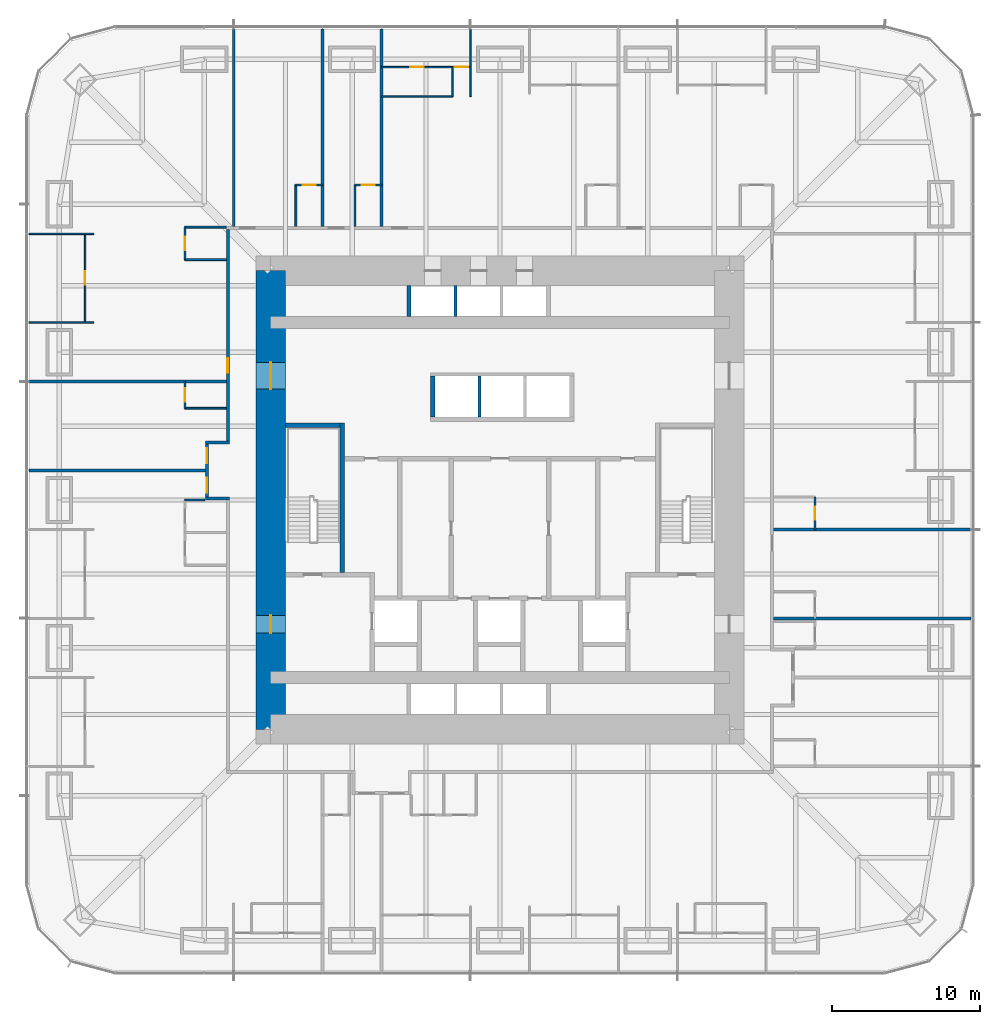
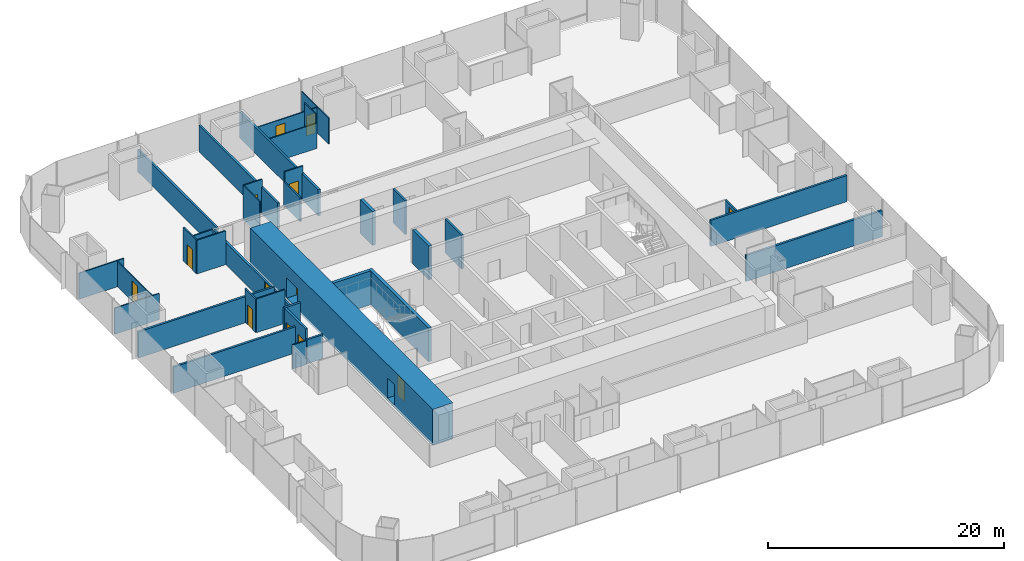
# One storey, part 17 of 20: 36 walls, 13 doors, 13 openings.
"""IFC4 building model written with IfcOpenShell, lengths in metres."""

import ifcopenshell
import ifcopenshell.guid

model = None  # the IFC model being written
_history = None  # IfcOwnerHistory: only IFC2X3 demands one
_inside = {}  # id of a spatial element -> (the spatial element, [elements in it])
_under = {}  # id of a project, library or spatial element -> (it, [spatial elements below it])
_declared = {}  # id of a project -> (the project, [libraries it declares])
_typed = {}  # id of a type object -> (the type object, [elements of that type])
_made_of = {}  # id of a material, layer set ... -> (it, [elements and type objects made of it])


def new_model(schema):
    """Start an empty IFC model of exactly this schema.

    Asked for "IFC4X3", IfcOpenShell would pick the latest addendum, in which some entities
    have other attributes; the version numbers below select the first issue.
    IFC2X3 requires an IfcOwnerHistory on every rooted entity: one is made here for all.
    """
    global model, _history
    if schema == "IFC4X3":
        model = ifcopenshell.file(schema_version=(4, 3, 0, 0))
    else:
        model = ifcopenshell.file(schema=schema)
    _inside.clear()
    _under.clear()
    _declared.clear()
    _typed.clear()
    _made_of.clear()
    _history = None
    if model.schema == "IFC2X3":
        org = make("IfcOrganization", Name="unknown")
        user = make(
            "IfcPersonAndOrganization",
            ThePerson=make("IfcPerson", FamilyName="unknown"),
            TheOrganization=org,
        )
        app = make(
            "IfcApplication",
            ApplicationDeveloper=org,
            Version="unknown",
            ApplicationFullName="unknown",
            ApplicationIdentifier="unknown",
        )
        _history = make(
            "IfcOwnerHistory",
            OwningUser=user,
            OwningApplication=app,
            ChangeAction="ADDED",
            CreationDate=0,
        )
    return model


def make(cls, **values):
    """One entity of the class cls with the attributes given. An attribute that is None is left unset."""
    return model.create_entity(
        cls, **{name: value for name, value in values.items() if value is not None}
    )


def rooted(cls, **values):
    """An entity with a GlobalId (a new one), such as an element, a storey or a relation."""
    return make(cls, GlobalId=ifcopenshell.guid.new(), OwnerHistory=_history, **values)


def si_unit(unit_type, name, prefix=None):
    """IfcSIUnit, for example si_unit("LENGTHUNIT", "METRE", prefix="MILLI")."""
    return make("IfcSIUnit", UnitType=unit_type, Prefix=prefix, Name=name)


def assignment(units):
    """IfcUnitAssignment: the units of a project."""
    return None if units is None else make("IfcUnitAssignment", Units=units)


def point(xyz):
    """IfcCartesianPoint."""
    return None if xyz is None else make("IfcCartesianPoint", Coordinates=xyz)


def direction(xyz):
    """IfcDirection."""
    return None if xyz is None else make("IfcDirection", DirectionRatios=xyz)


def frame(location, z_axis=None, x_axis=None):
    """IfcAxis2Placement3D, a coordinate frame: its origin and axes. An axis left out is left unset."""
    return make(
        "IfcAxis2Placement3D",
        Location=point(location),
        Axis=direction(z_axis),
        RefDirection=direction(x_axis),
    )


def frame_2d(location, x_axis=None):
    """IfcAxis2Placement2D, a coordinate frame in the plane: its origin and x axis."""
    return make(
        "IfcAxis2Placement2D", Location=point(location), RefDirection=direction(x_axis)
    )


def origin():
    """The frame at (0, 0, 0) with its axes left unset."""
    return frame((0.0, 0.0, 0.0))


def place(relative_to, where):
    """IfcLocalPlacement: puts the frame where relative to a parent placement (None: the world)."""
    return make(
        "IfcLocalPlacement", PlacementRelTo=relative_to, RelativePlacement=where
    )


def context(
    kind, dimensions, precision=None, world=None, true_north=None, identifier=None
):
    """IfcGeometricRepresentationContext, for example the 3D "Model" context."""
    return make(
        "IfcGeometricRepresentationContext",
        ContextIdentifier=identifier,
        ContextType=kind,
        CoordinateSpaceDimension=dimensions,
        Precision=precision,
        WorldCoordinateSystem=world,
        TrueNorth=true_north,
    )


def subcontext(parent, identifier, kind, view, scale=None):
    """IfcGeometricRepresentationSubContext, for example "Body" below "Model"."""
    return make(
        "IfcGeometricRepresentationSubContext",
        ContextIdentifier=identifier,
        ContextType=kind,
        ParentContext=parent,
        TargetScale=scale,
        TargetView=view,
    )


def project(units=None, contexts=None):
    """IfcProject with its units and contexts."""
    return rooted(
        "IfcProject",
        Name="project",
        RepresentationContexts=contexts,
        UnitsInContext=assignment(units),
    )


def spatial(cls, under=None, at=None, **own):
    """A site, building, storey or space (cls), placed at a placement, below another one or the project."""
    s = rooted(cls, ObjectPlacement=at, **own)
    if under is not None:
        _under.setdefault(under.id(), (under, []))[1].append(s)
    return s


def profile(cls, at=None, kind="AREA", **sizes):
    """A parametric profile (cls). Its sizes go by their IFC names, for example OverallWidth=200.0."""
    return make(cls, ProfileType=kind, Position=at, **sizes)


def rectangle(**sizes):
    """IfcRectangleProfileDef."""
    return profile("IfcRectangleProfileDef", **sizes)


def extrude(swept, where, along, depth):
    """IfcExtrudedAreaSolid: the profile swept, set in the frame where, extruded along a direction by depth."""
    return make(
        "IfcExtrudedAreaSolid",
        SweptArea=swept,
        Position=where,
        ExtrudedDirection=direction(along),
        Depth=depth,
    )


def shape(context_of_items, identifier, shape_type, items):
    """IfcShapeRepresentation: the items that make up one representation, for example the "Body"."""
    return make(
        "IfcShapeRepresentation",
        ContextOfItems=context_of_items,
        RepresentationIdentifier=identifier,
        RepresentationType=shape_type,
        Items=items,
    )


def material(Name=None, Category=None):
    """IfcMaterial."""
    return make("IfcMaterial", Name=Name, Category=Category)


def layer(
    of_material, thickness, ventilated=None, Name=None, Category=None, Priority=None
):
    """IfcMaterialLayer: one layer of a wall or slab, of a material (None: an air gap)."""
    return make(
        "IfcMaterialLayer",
        Material=of_material,
        LayerThickness=thickness,
        IsVentilated=ventilated,
        Name=Name,
        Category=Category,
        Priority=Priority,
    )


def layer_set(layers, Name=None):
    """IfcMaterialLayerSet."""
    return make("IfcMaterialLayerSet", MaterialLayers=layers, LayerSetName=Name)


def made_of(thing, what):
    """Note that an element or type object is made of a material, layer set ...; save() writes the relation."""
    if what is not None:
        _made_of.setdefault(what.id(), (what, []))[1].append(thing)
    return thing


def type_object(cls, material=None, **own):
    """A type object (cls), such as IfcWallType, which elements share."""
    return made_of(rooted(cls, **own), material)


def element(
    cls,
    number,
    at=None,
    inside=None,
    cuts=None,
    type_object=None,
    material=None,
    context=None,
    identifier="Body",
    shape_type=None,
    held_by="IfcProductDefinitionShape",
    body=None,
    shapes=None,
    **own,
):
    """One element of the class cls, such as IfcWall. Its Tag is "e" and its number.

    at: its placement. inside: the storey or other place that contains it. cuts: it is an
    opening in that element (IfcRelVoidsElement). A single representation is given by context,
    identifier, shape_type and body (its items); several are given by shapes. held_by: the class
    of the entity that holds the representations. save() writes the other relations.
    """
    e = rooted(cls, Tag="e%d" % number, ObjectPlacement=at, **own)
    if body is not None:
        shapes = [shape(context, identifier, shape_type, body)]
    if shapes is not None:
        e.Representation = make(held_by, Representations=shapes)
    if inside is not None:
        _inside.setdefault(inside.id(), (inside, []))[1].append(e)
    if cuts is not None:
        rooted(
            "IfcRelVoidsElement", RelatingBuildingElement=cuts, RelatedOpeningElement=e
        )
    if type_object is not None:
        _typed.setdefault(type_object.id(), (type_object, []))[1].append(e)
    return made_of(e, material)


def fill(opening, filler):
    """IfcRelFillsElement: the door or window that sits in an opening."""
    return rooted(
        "IfcRelFillsElement",
        RelatingOpeningElement=opening,
        RelatedBuildingElement=filler,
    )


def aggregate(whole, parts):
    """IfcRelAggregates: a whole, such as a stair, and the parts it consists of."""
    return rooted("IfcRelAggregates", RelatingObject=whole, RelatedObjects=parts)


def save(model, path):
    """Write the relations noted so far, then the file.

    IfcRelAggregates (storeys below a building ...), IfcRelContainedInSpatialStructure (elements
    in a storey), IfcRelDefinesByType, IfcRelAssociatesMaterial and IfcRelDeclares: one each for
    every whole, place, type object, material and project.
    """
    for whole, parts in _under.values():
        aggregate(whole, parts)
    for where, things in _inside.values():
        rooted(
            "IfcRelContainedInSpatialStructure",
            RelatedElements=things,
            RelatingStructure=where,
        )
    for kind, things in _typed.values():
        rooted("IfcRelDefinesByType", RelatedObjects=things, RelatingType=kind)
    for what, things in _made_of.values():
        rooted("IfcRelAssociatesMaterial", RelatedObjects=things, RelatingMaterial=what)
    for by, libraries in _declared.values():
        rooted("IfcRelDeclares", RelatingContext=by, RelatedDefinitions=libraries)
    model.write(path)


model = new_model("IFC4")

# Units and contexts
model_context = context("Model", 3, precision=1e-05, world=origin(), true_north=direction((0.0, 1.0)))
body_context = subcontext(model_context, "Body", "Model", "MODEL_VIEW")
ifc_project = project(units=[si_unit("LENGTHUNIT", "METRE"), si_unit("AREAUNIT", "SQUARE_METRE"), si_unit("VOLUMEUNIT", "CUBIC_METRE"), si_unit("PLANEANGLEUNIT", "RADIAN"), si_unit("MASSUNIT", "GRAM", prefix="KILO")], contexts=[model_context])

# Site, building, storey
site_placement = place(None, origin())
site = spatial("IfcSite", under=ifc_project, at=site_placement, CompositionType="ELEMENT")
building_placement = place(site_placement, origin())
building = spatial("IfcBuilding", under=site, at=building_placement, Name="Khuree Lantern Residences", CompositionType="ELEMENT")
storey_placement = place(building_placement, frame((0.0, 0.0, 32.25)))
storey = spatial("IfcBuildingStorey", under=building, at=storey_placement, Name="L07", CompositionType="ELEMENT", Elevation=32.25)

# Wall, opening, door
ifc_material_1 = material(Name="Moisture-resistant gypsum board on steel studs", Category="steel")
ifc_layer_1 = layer(ifc_material_1, 0.125)
ifc_layer_set_1 = layer_set([ifc_layer_1], Name="BATHROOM WALL BTW125")
wall_type_1 = type_object("IfcWallType", Name="BATHROOM WALL BTW125", PredefinedType="PARTITIONING", material=ifc_layer_set_1)
wall_1_placement = place(storey_placement, frame((21.300048828125, -2.0, 0.0), z_axis=(0.0, 0.0, 1.0), x_axis=(0.0, 1.0, 0.0)))
wall_1 = element("IfcWall", 1, at=wall_1_placement, inside=storey, type_object=wall_type_1, Name="L07 BATHROOM WALL 02", PredefinedType="PARTITIONING", context=body_context, shape_type="SweptSolid", body=[
    extrude(rectangle(XDim=2.199951171875, YDim=0.125, at=frame_2d((1.10009765625, 0.0))), origin(), (0.0, 0.0, 1.0), 2.491943359375),
])
opening_1_placement = place(wall_1_placement, frame((0.64990234375, 0.0, 0.0)))
opening_1 = element("IfcOpeningElement", 2, at=opening_1_placement, cuts=wall_1, Name="Opening 07-024", PredefinedType="OPENING", context=body_context, shape_type="SweptSolid", body=[
    extrude(rectangle(XDim=0.89990234375, YDim=2.10009765625, at=frame_2d((0.449951171875, 1.050048828125))), frame((0.0, 0.072509765625, 0.0), z_axis=(0.0, -1.0, 0.0), x_axis=(1.0, 0.0, 0.0)), (0.0, 0.0, 1.0), 0.14501953125),
])
ifc_material_2 = material(Name="Timber door leaf in hardwood frame", Category="wood")
door_type_1 = type_object("IfcDoorType", Name="BATHROOM DOOR 900X2100", OperationType="SINGLE_SWING_LEFT", PredefinedType="DOOR", material=ifc_material_2)
door_1_placement = place(opening_1_placement, origin())
door_1 = element("IfcDoor", 3, at=door_1_placement, inside=storey, type_object=door_type_1, Name="Bathroom door 07-024", OperationType="SINGLE_SWING_LEFT", OverallHeight=2.10009765625, OverallWidth=0.89990234375, PredefinedType="DOOR", context=body_context, shape_type="SweptSolid", body=[
    extrude(rectangle(XDim=0.89990234375, YDim=2.10009765625, at=frame_2d((0.449951171875, 1.050048828125))), frame((0.0, 0.02490234375, 0.0), z_axis=(0.0, -1.0, 0.0), x_axis=(1.0, 0.0, 0.0)), (0.0, 0.0, 1.0), 0.050048828125),
])
fill(opening_1, door_1)

wall_2_placement = place(storey_placement, frame((-8.0, 21.300048828125, 0.0), z_axis=(0.0, 0.0, 1.0), x_axis=(-1.0, 0.0, 0.0)))
wall_2 = element("IfcWall", 4, at=wall_2_placement, inside=storey, type_object=wall_type_1, Name="L07 BATHROOM WALL 05", PredefinedType="PARTITIONING", context=body_context, shape_type="SweptSolid", body=[
    extrude(rectangle(XDim=1.800048828125, YDim=0.125, at=frame_2d((0.89990234375, 0.0))), origin(), (0.0, 0.0, 1.0), 3.5),
])
opening_2_placement = place(wall_2_placement, frame((0.449951171875, 0.0, 0.0)))
opening_2 = element("IfcOpeningElement", 5, at=opening_2_placement, cuts=wall_2, Name="Opening 07-034", PredefinedType="OPENING", context=body_context, shape_type="SweptSolid", body=[
    extrude(rectangle(XDim=0.89990234375, YDim=2.10009765625, at=frame_2d((0.449951171875, 1.050048828125))), frame((0.0, 0.072509765625, 0.0), z_axis=(0.0, -1.0, 0.0), x_axis=(1.0, 0.0, 0.0)), (0.0, 0.0, 1.0), 0.14501953125),
])
door_2_placement = place(opening_2_placement, origin())
door_2 = element("IfcDoor", 6, at=door_2_placement, inside=storey, type_object=door_type_1, Name="Bathroom door 07-034", OperationType="SINGLE_SWING_LEFT", OverallHeight=2.10009765625, OverallWidth=0.89990234375, PredefinedType="DOOR", context=body_context, shape_type="SweptSolid", body=[
    extrude(rectangle(XDim=0.89990234375, YDim=2.10009765625, at=frame_2d((0.449951171875, 1.050048828125))), frame((0.0, 0.02490234375, 0.0), z_axis=(0.0, -1.0, 0.0), x_axis=(1.0, 0.0, 0.0)), (0.0, 0.0, 1.0), 0.050048828125),
])
fill(opening_2, door_2)

# Wall
wall_3_placement = place(storey_placement, frame((-9.800048828125, 18.5, 0.0), z_axis=(0.0, 0.0, 1.0), x_axis=(0.0, 1.0, 0.0)))
element("IfcWall", 7, at=wall_3_placement, inside=storey, type_object=wall_type_1, Name="L07 BATHROOM WALL 05", PredefinedType="PARTITIONING", context=body_context, shape_type="SweptSolid", body=[
    extrude(rectangle(XDim=2.800048828125, YDim=0.125, at=frame_2d((1.39990234375, 0.0))), origin(), (0.0, 0.0, 1.0), 2.491943359375),
])

# Wall, opening, door
wall_4_placement = place(storey_placement, frame((-12.0, 21.300048828125, 0.0), z_axis=(0.0, 0.0, 1.0), x_axis=(-1.0, 0.0, 0.0)))
wall_4 = element("IfcWall", 8, at=wall_4_placement, inside=storey, type_object=wall_type_1, Name="L07 BATHROOM WALL 06", PredefinedType="PARTITIONING", context=body_context, shape_type="SweptSolid", body=[
    extrude(rectangle(XDim=1.800048828125, YDim=0.125, at=frame_2d((0.89990234375, 0.0))), origin(), (0.0, 0.0, 1.0), 3.5),
])
opening_3_placement = place(wall_4_placement, frame((0.449951171875, 0.0, 0.0)))
opening_3 = element("IfcOpeningElement", 9, at=opening_3_placement, cuts=wall_4, Name="Opening 07-036", PredefinedType="OPENING", context=body_context, shape_type="SweptSolid", body=[
    extrude(rectangle(XDim=0.89990234375, YDim=2.10009765625, at=frame_2d((0.449951171875, 1.050048828125))), frame((0.0, 0.072509765625, 0.0), z_axis=(0.0, -1.0, 0.0), x_axis=(1.0, 0.0, 0.0)), (0.0, 0.0, 1.0), 0.14501953125),
])
door_3_placement = place(opening_3_placement, origin())
door_3 = element("IfcDoor", 10, at=door_3_placement, inside=storey, type_object=door_type_1, Name="Bathroom door 07-036", OperationType="SINGLE_SWING_LEFT", OverallHeight=2.10009765625, OverallWidth=0.89990234375, PredefinedType="DOOR", context=body_context, shape_type="SweptSolid", body=[
    extrude(rectangle(XDim=0.89990234375, YDim=2.10009765625, at=frame_2d((0.449951171875, 1.050048828125))), frame((0.0, 0.02490234375, 0.0), z_axis=(0.0, -1.0, 0.0), x_axis=(1.0, 0.0, 0.0)), (0.0, 0.0, 1.0), 0.050048828125),
])
fill(opening_3, door_3)

# Wall
wall_5_placement = place(storey_placement, frame((-13.800048828125, 18.5, 0.0), z_axis=(0.0, 0.0, 1.0), x_axis=(0.0, 1.0, 0.0)))
element("IfcWall", 11, at=wall_5_placement, inside=storey, type_object=wall_type_1, Name="L07 BATHROOM WALL 06", PredefinedType="PARTITIONING", context=body_context, shape_type="SweptSolid", body=[
    extrude(rectangle(XDim=2.800048828125, YDim=0.125, at=frame_2d((1.39990234375, 0.0))), origin(), (0.0, 0.0, 1.0), 3.5),
])

# Wall, opening, door
wall_6_placement = place(storey_placement, frame((-21.300048828125, 18.449951171875, 0.0), z_axis=(0.0, 0.0, 1.0), x_axis=(0.0, -1.0, 0.0)))
wall_6 = element("IfcWall", 12, at=wall_6_placement, inside=storey, type_object=wall_type_1, Name="L07 BATHROOM WALL 07", PredefinedType="PARTITIONING", context=body_context, shape_type="SweptSolid", body=[
    extrude(rectangle(XDim=2.199951171875, YDim=0.125, at=frame_2d((1.10009765625, 0.0))), origin(), (0.0, 0.0, 1.0), 3.5),
])
opening_4_placement = place(wall_6_placement, frame((0.64990234375, 0.0, 0.0)))
opening_4 = element("IfcOpeningElement", 13, at=opening_4_placement, cuts=wall_6, Name="Opening 07-039", PredefinedType="OPENING", context=body_context, shape_type="SweptSolid", body=[
    extrude(rectangle(XDim=0.89990234375, YDim=2.10009765625, at=frame_2d((0.449951171875, 1.050048828125))), frame((0.0, 0.072509765625, 0.0), z_axis=(0.0, -1.0, 0.0), x_axis=(1.0, 0.0, 0.0)), (0.0, 0.0, 1.0), 0.14501953125),
])
door_4_placement = place(opening_4_placement, origin())
door_4 = element("IfcDoor", 14, at=door_4_placement, inside=storey, type_object=door_type_1, Name="Bathroom door 07-039", OperationType="SINGLE_SWING_LEFT", OverallHeight=2.10009765625, OverallWidth=0.89990234375, PredefinedType="DOOR", context=body_context, shape_type="SweptSolid", body=[
    extrude(rectangle(XDim=0.89990234375, YDim=2.10009765625, at=frame_2d((0.449951171875, 1.050048828125))), frame((0.0, 0.02490234375, 0.0), z_axis=(0.0, -1.0, 0.0), x_axis=(1.0, 0.0, 0.0)), (0.0, 0.0, 1.0), 0.050048828125),
])
fill(opening_4, door_4)

# Walls
wall_7_placement = place(storey_placement, frame((-18.5, 18.449951171875, 0.0), z_axis=(0.0, 0.0, 1.0), x_axis=(-1.0, 0.0, 0.0)))
element("IfcWall", 15, at=wall_7_placement, inside=storey, type_object=wall_type_1, Name="L07 BATHROOM WALL 07", PredefinedType="PARTITIONING", context=body_context, shape_type="SweptSolid", body=[
    extrude(rectangle(XDim=2.800048828125, YDim=0.125, at=frame_2d((1.39990234375, 0.0))), origin(), (0.0, 0.0, 1.0), 2.300048828125),
])
wall_8_placement = place(storey_placement, frame((-18.5, 16.25, 0.0), z_axis=(0.0, 0.0, 1.0), x_axis=(-1.0, 0.0, 0.0)))
element("IfcWall", 16, at=wall_8_placement, inside=storey, type_object=wall_type_1, Name="L07 BATHROOM WALL 07", PredefinedType="PARTITIONING", context=body_context, shape_type="SweptSolid", body=[
    extrude(rectangle(XDim=2.800048828125, YDim=0.125, at=frame_2d((1.39990234375, 0.0))), origin(), (0.0, 0.0, 1.0), 3.5),
])

# Wall, opening, door
wall_9_placement = place(storey_placement, frame((-21.300048828125, 8.0, 0.0), z_axis=(0.0, 0.0, 1.0), x_axis=(0.0, -1.0, 0.0)))
wall_9 = element("IfcWall", 17, at=wall_9_placement, inside=storey, type_object=wall_type_1, Name="L07 BATHROOM WALL 08", PredefinedType="PARTITIONING", context=body_context, shape_type="SweptSolid", body=[
    extrude(rectangle(XDim=1.800048828125, YDim=0.125, at=frame_2d((0.89990234375, 0.0))), origin(), (0.0, 0.0, 1.0), 3.5),
])
opening_5_placement = place(wall_9_placement, frame((0.449951171875, 0.0, 0.0)))
opening_5 = element("IfcOpeningElement", 18, at=opening_5_placement, cuts=wall_9, Name="Opening 07-041", PredefinedType="OPENING", context=body_context, shape_type="SweptSolid", body=[
    extrude(rectangle(XDim=0.89990234375, YDim=2.10009765625, at=frame_2d((0.449951171875, 1.050048828125))), frame((0.0, 0.072509765625, 0.0), z_axis=(0.0, -1.0, 0.0), x_axis=(1.0, 0.0, 0.0)), (0.0, 0.0, 1.0), 0.14501953125),
])
door_5_placement = place(opening_5_placement, origin())
door_5 = element("IfcDoor", 19, at=door_5_placement, inside=storey, type_object=door_type_1, Name="Bathroom door 07-041", OperationType="SINGLE_SWING_LEFT", OverallHeight=2.10009765625, OverallWidth=0.89990234375, PredefinedType="DOOR", context=body_context, shape_type="SweptSolid", body=[
    extrude(rectangle(XDim=0.89990234375, YDim=2.10009765625, at=frame_2d((0.449951171875, 1.050048828125))), frame((0.0, 0.02490234375, 0.0), z_axis=(0.0, -1.0, 0.0), x_axis=(1.0, 0.0, 0.0)), (0.0, 0.0, 1.0), 0.050048828125),
])
fill(opening_5, door_5)

# Walls
wall_10_placement = place(storey_placement, frame((-18.5, 6.199951171875, 0.0), z_axis=(0.0, 0.0, 1.0), x_axis=(-1.0, 0.0, 0.0)))
element("IfcWall", 20, at=wall_10_placement, inside=storey, type_object=wall_type_1, Name="L07 BATHROOM WALL 08", PredefinedType="PARTITIONING", context=body_context, shape_type="SweptSolid", body=[
    extrude(rectangle(XDim=2.800048828125, YDim=0.125, at=frame_2d((1.39990234375, 0.0))), origin(), (0.0, 0.0, 1.0), 3.5),
])
wall_11_placement = place(storey_placement, frame((-19.969970703125, 0.0, 0.0), z_axis=(0.0, 0.0, 1.0), x_axis=(-1.0, 0.0, 0.0)))
element("IfcWall", 21, at=wall_11_placement, inside=storey, type_object=wall_type_1, Name="L07 BATHROOM WALL 09", PredefinedType="PARTITIONING", context=body_context, shape_type="SweptSolid", body=[
    extrude(rectangle(XDim=1.330078125, YDim=0.125, at=frame_2d((0.6650390625, 0.0))), origin(), (0.0, 0.0, 1.0), 2.491943359375),
])
ifc_material_3 = material(Name="Dense concrete blockwork", Category="masonry")
ifc_layer_2 = layer(ifc_material_3, 0.300048828125)
ifc_layer_set_2 = layer_set([ifc_layer_2], Name="CORE PARTITION WALL CPW300 EI 120")
wall_type_2 = type_object("IfcWallType", Name="CORE PARTITION WALL CPW300 EI 120", PredefinedType="PARTITIONING", material=ifc_layer_set_2)
wall_12_placement = place(storey_placement, frame((-4.550048828125, 5.60009765625, 0.0), z_axis=(0.0, 0.0, 1.0), x_axis=(0.0, 1.0, 0.0)))
element("IfcWall", 22, at=wall_12_placement, inside=storey, type_object=wall_type_2, Name="L07 CORE WALL PHW", PredefinedType="PARTITIONING", context=body_context, shape_type="SweptSolid", body=[
    extrude(rectangle(XDim=2.7998046875, YDim=0.300048828125, at=frame_2d((1.39990234375, 0.0))), origin(), (0.0, 0.0, 1.0), 3.5),
])
wall_13_placement = place(storey_placement, frame((-6.14990234375, 12.39990234375, 0.0), z_axis=(0.0, 0.0, 1.0), x_axis=(0.0, 1.0, 0.0)))
element("IfcWall", 23, at=wall_13_placement, inside=storey, type_object=wall_type_2, Name="L07 CORE WALL PLW", PredefinedType="PARTITIONING", context=body_context, shape_type="SweptSolid", body=[
    extrude(rectangle(XDim=2.10009765625, YDim=0.300048828125, at=frame_2d((1.050048828125, 0.0))), origin(), (0.0, 0.0, 1.0), 3.5),
])

# Wall, opening, door
ifc_material_4 = material(Name="Gypsum board on steel studs", Category="steel")
ifc_layer_3 = layer(ifc_material_4, 0.199951171875)
ifc_layer_set_3 = layer_set([ifc_layer_3], Name="CORRIDOR WALL CRW200 EI 60")
wall_type_3 = type_object("IfcWallType", Name="CORRIDOR WALL CRW200 EI 60", PredefinedType="PARTITIONING", material=ifc_layer_set_3)
wall_14_placement = place(storey_placement, frame((-18.39990234375, 18.300048828125, 0.0), z_axis=(0.0, 0.0, 1.0), x_axis=(0.0, -1.0, 0.0)))
wall_14 = element("IfcWall", 24, at=wall_14_placement, inside=storey, type_object=wall_type_3, Name="L07 CORRIDOR WALL WEST 1", PredefinedType="PARTITIONING", context=body_context, shape_type="SweptSolid", body=[
    extrude(rectangle(XDim=14.300048828125, YDim=0.199951171875, at=frame_2d((7.14990234375, 0.0))), origin(), (0.0, 0.0, 1.0), 2.300048828125),
])
opening_6_placement = place(wall_14_placement, frame((8.699951171875, 0.0, 0.0)))
opening_6 = element("IfcOpeningElement", 25, at=opening_6_placement, cuts=wall_14, Name="Opening 07-040", PredefinedType="OPENING", context=body_context, shape_type="SweptSolid", body=[
    extrude(rectangle(XDim=1.0, YDim=2.199951171875, at=frame_2d((0.5, 1.10009765625))), frame((0.0, 0.10986328125, 0.0), z_axis=(0.0, -1.0, 0.0), x_axis=(1.0, 0.0, 0.0)), (0.0, 0.0, 1.0), 0.219970703125),
])
door_type_2 = type_object("IfcDoorType", Name="APARTMENT ENTRANCE DOOR 1000X2200 EI 30S", OperationType="SINGLE_SWING_LEFT", PredefinedType="DOOR", material=ifc_material_2)
door_6_placement = place(opening_6_placement, origin())
door_6 = element("IfcDoor", 26, at=door_6_placement, inside=storey, type_object=door_type_2, Name="Apartment 07 entrance door 07-040", OperationType="SINGLE_SWING_LEFT", OverallHeight=2.199951171875, OverallWidth=1.0, PredefinedType="DOOR", context=body_context, shape_type="SweptSolid", body=[
    extrude(rectangle(XDim=1.0, YDim=2.199951171875, at=frame_2d((0.5, 1.10009765625))), frame((0.0, 0.02490234375, 0.0), z_axis=(0.0, -1.0, 0.0), x_axis=(1.0, 0.0, 0.0)), (0.0, 0.0, 1.0), 0.050048828125),
])
fill(opening_6, door_6)

# Walls
wall_15_placement = place(storey_placement, frame((-18.300048828125, 3.89990234375, 0.0), z_axis=(0.0, 0.0, 1.0), x_axis=(-1.0, 0.0, 0.0)))
element("IfcWall", 27, at=wall_15_placement, inside=storey, type_object=wall_type_3, Name="L07 CORRIDOR ALCOVE WALL WEST", PredefinedType="PARTITIONING", context=body_context, shape_type="SweptSolid", body=[
    extrude(rectangle(XDim=1.599853515625, YDim=0.199951171875, at=frame_2d((0.7998046875, 0.0))), origin(), (0.0, 0.0, 1.0), 3.5),
])
wall_16_placement = place(storey_placement, frame((-18.300048828125, 0.10009765625, 0.0), z_axis=(0.0, 0.0, 1.0), x_axis=(-1.0, 0.0, 0.0)))
element("IfcWall", 28, at=wall_16_placement, inside=storey, type_object=wall_type_3, Name="L07 CORRIDOR ALCOVE WALL WEST", PredefinedType="PARTITIONING", context=body_context, shape_type="SweptSolid", body=[
    extrude(rectangle(XDim=1.599853515625, YDim=0.199951171875, at=frame_2d((0.7998046875, 0.0))), origin(), (0.0, 0.0, 1.0), 2.491943359375),
])

# Wall, openings, doors
wall_17_placement = place(storey_placement, frame((-19.800048828125, 3.800048828125, 0.0), z_axis=(0.0, 0.0, 1.0), x_axis=(0.0, -1.0, 0.0)))
wall_17 = element("IfcWall", 29, at=wall_17_placement, inside=storey, type_object=wall_type_3, Name="L07 CORRIDOR ALCOVE WALL WEST", PredefinedType="PARTITIONING", context=body_context, shape_type="SweptSolid", body=[
    extrude(rectangle(XDim=3.60009765625, YDim=0.199951171875, at=frame_2d((1.800048828125, 0.0))), origin(), (0.0, 0.0, 1.0), 3.5),
])
opening_7_placement = place(wall_17_placement, frame((0.300048828125, 0.0, 0.0)))
opening_7 = element("IfcOpeningElement", 30, at=opening_7_placement, cuts=wall_17, Name="Opening 07-042", PredefinedType="OPENING", context=body_context, shape_type="SweptSolid", body=[
    extrude(rectangle(XDim=1.0, YDim=2.199951171875, at=frame_2d((0.5, 1.10009765625))), frame((0.0, 0.10986328125, 0.0), z_axis=(0.0, -1.0, 0.0), x_axis=(1.0, 0.0, 0.0)), (0.0, 0.0, 1.0), 0.219970703125),
])
opening_8_placement = place(wall_17_placement, frame((2.300048828125, 0.0, 0.0)))
opening_8 = element("IfcOpeningElement", 31, at=opening_8_placement, cuts=wall_17, Name="Opening 07-049", PredefinedType="OPENING", context=body_context, shape_type="SweptSolid", body=[
    extrude(rectangle(XDim=1.0, YDim=2.199951171875, at=frame_2d((0.5, 1.10009765625))), frame((0.0, 0.10986328125, 0.0), z_axis=(0.0, -1.0, 0.0), x_axis=(1.0, 0.0, 0.0)), (0.0, 0.0, 1.0), 0.219970703125),
])
door_7_placement = place(opening_7_placement, origin())
door_7 = element("IfcDoor", 32, at=door_7_placement, inside=storey, type_object=door_type_2, Name="Apartment 08 entrance door 07-042", OperationType="SINGLE_SWING_LEFT", OverallHeight=2.199951171875, OverallWidth=1.0, PredefinedType="DOOR", context=body_context, shape_type="SweptSolid", body=[
    extrude(rectangle(XDim=1.0, YDim=2.199951171875, at=frame_2d((0.5, 1.10009765625))), frame((0.0, 0.02490234375, 0.0), z_axis=(0.0, -1.0, 0.0), x_axis=(1.0, 0.0, 0.0)), (0.0, 0.0, 1.0), 0.050048828125),
])
fill(opening_7, door_7)
door_type_3 = type_object("IfcDoorType", Name="APARTMENT ENTRANCE DOOR 1000X2200 EI 30S RIGHT HAND", OperationType="SINGLE_SWING_RIGHT", PredefinedType="DOOR", material=ifc_material_2)
door_8_placement = place(opening_8_placement, origin())
door_8 = element("IfcDoor", 33, at=door_8_placement, inside=storey, type_object=door_type_3, Name="Apartment 09 entrance door 07-049", OperationType="SINGLE_SWING_RIGHT", OverallHeight=2.199951171875, OverallWidth=1.0, PredefinedType="DOOR", context=body_context, shape_type="SweptSolid", body=[
    extrude(rectangle(XDim=1.0, YDim=2.199951171875, at=frame_2d((0.5, 1.10009765625))), frame((0.0, 0.02490234375, 0.0), z_axis=(0.0, -1.0, 0.0), x_axis=(1.0, 0.0, 0.0)), (0.0, 0.0, 1.0), 0.050048828125),
])
fill(opening_8, door_8)

ifc_material_5 = material(Name="Concrete C70/85", Category="concrete")
ifc_layer_4 = layer(ifc_material_5, 2.0)
ifc_layer_set_4 = layer_set([ifc_layer_4], Name="CW2000-C70 CORE WALL C70 2000")
wall_type_4 = type_object("IfcWallType", Name="CW2000-C70 CORE WALL C70 2000", PredefinedType="SHEAR", material=ifc_layer_set_4)
wall_18_placement = place(storey_placement, frame((-15.5, -15.5, -0.25), z_axis=(0.0, 0.0, 1.0), x_axis=(0.0, 1.0, 0.0)))
wall_18 = element("IfcWall", 34, at=wall_18_placement, inside=storey, type_object=wall_type_4, Name="Core wall W", PredefinedType="SHEAR", context=body_context, shape_type="SweptSolid", body=[
    extrude(rectangle(XDim=31.0, YDim=2.0, at=frame_2d((15.5, 0.0))), origin(), (0.0, 0.0, 1.0), 3.75),
])
opening_9_placement = place(wall_18_placement, frame((6.5, 0.0, 0.25)))
opening_9 = element("IfcOpeningElement", 35, at=opening_9_placement, cuts=wall_18, Name="Opening 07-002", PredefinedType="OPENING", context=body_context, shape_type="SweptSolid", body=[
    extrude(rectangle(XDim=1.199951171875, YDim=2.10009765625, at=frame_2d((0.60009765625, 1.050048828125))), frame((0.0, 1.010009765625, 0.0), z_axis=(0.0, -1.0, 0.0), x_axis=(1.0, 0.0, 0.0)), (0.0, 0.0, 1.0), 2.02001953125),
])
opening_10_placement = place(wall_18_placement, frame((23.0, 0.0, 0.25)))
opening_10 = element("IfcOpeningElement", 36, at=opening_10_placement, cuts=wall_18, Name="Opening 07-003", PredefinedType="OPENING", context=body_context, shape_type="SweptSolid", body=[
    extrude(rectangle(XDim=1.800048828125, YDim=2.10009765625, at=frame_2d((0.89990234375, 1.050048828125))), frame((0.0, 1.010009765625, 0.0), z_axis=(0.0, -1.0, 0.0), x_axis=(1.0, 0.0, 0.0)), (0.0, 0.0, 1.0), 2.02001953125),
])
ifc_material_6 = material(Name="Steel door leaf in steel frame", Category="steel")
door_type_4 = type_object("IfcDoorType", Name="LOBBY DOOR 1200X2100 EI 120", OperationType="SINGLE_SWING_LEFT", PredefinedType="DOOR", material=ifc_material_6)
door_9_placement = place(opening_9_placement, origin())
door_9 = element("IfcDoor", 37, at=door_9_placement, inside=storey, type_object=door_type_4, Name="Firefighting lobby door 07-002", OperationType="SINGLE_SWING_LEFT", OverallHeight=2.10009765625, OverallWidth=1.199951171875, PredefinedType="DOOR", context=body_context, shape_type="SweptSolid", body=[
    extrude(rectangle(XDim=1.199951171875, YDim=2.10009765625, at=frame_2d((0.60009765625, 1.050048828125))), frame((0.0, 0.02490234375, 0.0), z_axis=(0.0, -1.0, 0.0), x_axis=(1.0, 0.0, 0.0)), (0.0, 0.0, 1.0), 0.050048828125),
])
fill(opening_9, door_9)
door_type_5 = type_object("IfcDoorType", Name="LOBBY DOUBLE DOOR 1800X2100 EI 60", OperationType="DOUBLE_DOOR_SINGLE_SWING", PredefinedType="DOOR", material=ifc_material_6)
door_10_placement = place(opening_10_placement, origin())
door_10 = element("IfcDoor", 38, at=door_10_placement, inside=storey, type_object=door_type_5, Name="Lift lobby door 07-003", OperationType="DOUBLE_DOOR_SINGLE_SWING", OverallHeight=2.10009765625, OverallWidth=1.800048828125, PredefinedType="DOOR", context=body_context, shape_type="SweptSolid", body=[
    extrude(rectangle(XDim=1.800048828125, YDim=2.10009765625, at=frame_2d((0.89990234375, 1.050048828125))), frame((0.0, 0.02490234375, 0.0), z_axis=(0.0, -1.0, 0.0), x_axis=(1.0, 0.0, 0.0)), (0.0, 0.0, 1.0), 0.050048828125),
])
fill(opening_10, door_10)

# Walls
ifc_layer_5 = layer(ifc_material_4, 0.199951171875)
ifc_layer_set_5 = layer_set([ifc_layer_5], Name="DEMISING WALL DMW200 EI 90")
wall_type_5 = type_object("IfcWallType", Name="DEMISING WALL DMW200 EI 90", PredefinedType="PARTITIONING", material=ifc_layer_set_5)
for number, where, z_axis, x_axis, name in (
    (39, (18.5, -8.0, 0.0), (0.0, 0.0, 1.0), (1.0, 0.0, 0.0), "L07 DEMISING WALL 01"),
    (40, (18.5, -2.0, 0.0), (0.0, 0.0, 1.0), (1.0, 0.0, 0.0), "L07 DEMISING WALL 02"),
    (41, (-8.0, 18.5, 0.0), (0.0, 0.0, 1.0), (0.0, 1.0, 0.0), "L07 DEMISING WALL 05"),
    (42, (-12.0, 18.5, 0.0), (0.0, 0.0, 1.0), (0.0, 1.0, 0.0), "L07 DEMISING WALL 06"),
):
    element("IfcWall", number, at=place(storey_placement, frame(where, z_axis=z_axis, x_axis=x_axis)), inside=storey, type_object=wall_type_5, Name=name, PredefinedType="PARTITIONING", context=body_context, shape_type="SweptSolid", body=[
        extrude(rectangle(XDim=13.35009765625, YDim=0.199951171875, at=frame_2d((6.675048828125, 0.0))), origin(), (0.0, 0.0, 1.0), 2.7099609375),
    ])
wall_19_placement = place(storey_placement, frame((-18.0, 18.5, 0.0), z_axis=(0.0, 0.0, 1.0), x_axis=(0.0, 1.0, 0.0)))
element("IfcWall", 43, at=wall_19_placement, inside=storey, type_object=wall_type_5, Name="L07 DEMISING WALL 07", PredefinedType="PARTITIONING", context=body_context, shape_type="SweptSolid", body=[
    extrude(rectangle(XDim=13.35009765625, YDim=0.199951171875, at=frame_2d((6.675048828125, 0.0))), origin(), (0.0, 0.0, 1.0), 2.300048828125),
])
wall_20_placement = place(storey_placement, frame((-18.5, 8.0, 0.0), z_axis=(0.0, 0.0, 1.0), x_axis=(-1.0, 0.0, 0.0)))
element("IfcWall", 44, at=wall_20_placement, inside=storey, type_object=wall_type_5, Name="L07 DEMISING WALL 08", PredefinedType="PARTITIONING", context=body_context, shape_type="SweptSolid", body=[
    extrude(rectangle(XDim=13.35009765625, YDim=0.199951171875, at=frame_2d((6.675048828125, 0.0))), origin(), (0.0, 0.0, 1.0), 2.7099609375),
])
wall_21_placement = place(storey_placement, frame((-19.89990234375, 2.0, 0.0), z_axis=(0.0, 0.0, 1.0), x_axis=(-1.0, 0.0, 0.0)))
element("IfcWall", 45, at=wall_21_placement, inside=storey, type_object=wall_type_5, Name="L07 DEMISING WALL 09", PredefinedType="PARTITIONING", context=body_context, shape_type="SweptSolid", body=[
    extrude(rectangle(XDim=11.9501953125, YDim=0.199951171875, at=frame_2d((5.97509765625, 0.0))), origin(), (0.0, 0.0, 1.0), 2.7099609375),
])
ifc_layer_6 = layer(ifc_material_4, 0.10009765625)
ifc_layer_set_6 = layer_set([ifc_layer_6], Name="PARTITION PT100")
wall_type_6 = type_object("IfcWallType", Name="PARTITION PT100", PredefinedType="PARTITIONING", material=ifc_layer_set_6)
wall_22_placement = place(storey_placement, frame((-2.0, 27.2666015625, 0.0), z_axis=(0.0, 0.0, 1.0), x_axis=(0.0, 1.0, 0.0)))
element("IfcWall", 46, at=wall_22_placement, inside=storey, type_object=wall_type_6, Name="L07 PARTITION 04", PredefinedType="PARTITIONING", context=body_context, shape_type="SweptSolid", body=[
    extrude(rectangle(XDim=4.58349609375, YDim=0.10009765625, at=frame_2d((2.291748046875, 0.0))), origin(), (0.0, 0.0, 1.0), 2.7099609375),
])
for number, where, z_axis, x_axis, name in (
    (47, (-27.449951171875, 18.0, 0.0), (0.0, 0.0, 1.0), (-1.0, 0.0, 0.0), "L07 PARTITION 07"),
    (48, (-27.449951171875, 12.0, 0.0), (0.0, 0.0, 1.0), (-1.0, 0.0, 0.0), "L07 PARTITION 07"),
):
    element("IfcWall", number, at=place(storey_placement, frame(where, z_axis=z_axis, x_axis=x_axis)), inside=storey, type_object=wall_type_6, Name=name, PredefinedType="PARTITIONING", context=body_context, shape_type="SweptSolid", body=[
        extrude(rectangle(XDim=4.400146484375, YDim=0.10009765625, at=frame_2d((2.2001953125, 0.0))), origin(), (0.0, 0.0, 1.0), 2.7099609375),
    ])

# Wall, openings, doors
wall_23_placement = place(storey_placement, frame((-2.0, 29.2666015625, 0.0), z_axis=(0.0, 0.0, 1.0), x_axis=(-1.0, 0.0, 0.0)))
wall_23 = element("IfcWall", 49, at=wall_23_placement, inside=storey, type_object=wall_type_6, Name="L07 PARTITION 04", PredefinedType="PARTITIONING", context=body_context, shape_type="SweptSolid", body=[
    extrude(rectangle(XDim=6.0, YDim=0.10009765625, at=frame_2d((3.0, 0.0))), origin(), (0.0, 0.0, 1.0), 2.610107421875),
])
opening_11_placement = place(wall_23_placement, frame((0.14990234375, 0.0, 0.0)))
opening_11 = element("IfcOpeningElement", 50, at=opening_11_placement, cuts=wall_23, Name="Opening 07-030", PredefinedType="OPENING", context=body_context, shape_type="SweptSolid", body=[
    extrude(rectangle(XDim=0.89990234375, YDim=2.10009765625, at=frame_2d((0.449951171875, 1.050048828125))), frame((0.0, 0.06005859375, 0.0), z_axis=(0.0, -1.0, 0.0), x_axis=(1.0, 0.0, 0.0)), (0.0, 0.0, 1.0), 0.1201171875),
])
opening_12_placement = place(wall_23_placement, frame((3.14990234375, 0.0, 0.0)))
opening_12 = element("IfcOpeningElement", 51, at=opening_12_placement, cuts=wall_23, Name="Opening 07-031", PredefinedType="OPENING", context=body_context, shape_type="SweptSolid", body=[
    extrude(rectangle(XDim=0.89990234375, YDim=2.10009765625, at=frame_2d((0.449951171875, 1.050048828125))), frame((0.0, 0.06005859375, 0.0), z_axis=(0.0, -1.0, 0.0), x_axis=(1.0, 0.0, 0.0)), (0.0, 0.0, 1.0), 0.1201171875),
])
door_type_6 = type_object("IfcDoorType", Name="BEDROOM DOOR 900X2100", OperationType="SINGLE_SWING_LEFT", PredefinedType="DOOR", material=ifc_material_2)
door_11_placement = place(opening_11_placement, origin())
door_11 = element("IfcDoor", 52, at=door_11_placement, inside=storey, type_object=door_type_6, Name="Bedroom door 07-030", OperationType="SINGLE_SWING_LEFT", OverallHeight=2.10009765625, OverallWidth=0.89990234375, PredefinedType="DOOR", context=body_context, shape_type="SweptSolid", body=[
    extrude(rectangle(XDim=0.89990234375, YDim=2.10009765625, at=frame_2d((0.449951171875, 1.050048828125))), frame((0.0, 0.02490234375, 0.0), z_axis=(0.0, -1.0, 0.0), x_axis=(1.0, 0.0, 0.0)), (0.0, 0.0, 1.0), 0.050048828125),
])
fill(opening_11, door_11)
door_type_7 = type_object("IfcDoorType", Name="DOOR 900X2100", OperationType="SINGLE_SWING_LEFT", PredefinedType="DOOR", material=ifc_material_2)
door_12_placement = place(opening_12_placement, origin())
door_12 = element("IfcDoor", 53, at=door_12_placement, inside=storey, type_object=door_type_7, Name="Wardrobe door 07-031", OperationType="SINGLE_SWING_LEFT", OverallHeight=2.10009765625, OverallWidth=0.89990234375, PredefinedType="DOOR", context=body_context, shape_type="SweptSolid", body=[
    extrude(rectangle(XDim=0.89990234375, YDim=2.10009765625, at=frame_2d((0.449951171875, 1.050048828125))), frame((0.0, 0.02490234375, 0.0), z_axis=(0.0, -1.0, 0.0), x_axis=(1.0, 0.0, 0.0)), (0.0, 0.0, 1.0), 0.050048828125),
])
fill(opening_12, door_12)

# Walls
wall_24_placement = place(storey_placement, frame((-3.199951171875, 27.2666015625, 0.0), z_axis=(0.0, 0.0, 1.0), x_axis=(0.0, 1.0, 0.0)))
element("IfcWall", 54, at=wall_24_placement, inside=storey, type_object=wall_type_6, Name="L07 PARTITION 04", PredefinedType="PARTITIONING", context=body_context, shape_type="SweptSolid", body=[
    extrude(rectangle(XDim=2.0, YDim=0.10009765625, at=frame_2d((1.0, 0.0))), origin(), (0.0, 0.0, 1.0), 3.5),
])
wall_25_placement = place(storey_placement, frame((-3.199951171875, 27.2666015625, 0.0), z_axis=(0.0, 0.0, 1.0), x_axis=(-1.0, 0.0, 0.0)))
element("IfcWall", 55, at=wall_25_placement, inside=storey, type_object=wall_type_6, Name="L07 PARTITION 04", PredefinedType="PARTITIONING", context=body_context, shape_type="SweptSolid", body=[
    extrude(rectangle(XDim=4.800048828125, YDim=0.10009765625, at=frame_2d((2.39990234375, 0.0))), origin(), (0.0, 0.0, 1.0), 2.610107421875),
])

# Wall, opening, door
wall_26_placement = place(storey_placement, frame((-28.050048828125, 18.0, 0.0), z_axis=(0.0, 0.0, 1.0), x_axis=(0.0, -1.0, 0.0)))
wall_26 = element("IfcWall", 56, at=wall_26_placement, inside=storey, type_object=wall_type_6, Name="L07 PARTITION 07", PredefinedType="PARTITIONING", context=body_context, shape_type="SweptSolid", body=[
    extrude(rectangle(XDim=6.0, YDim=0.10009765625, at=frame_2d((3.0, 0.0))), origin(), (0.0, 0.0, 1.0), 2.610107421875),
])
opening_13_placement = place(wall_26_placement, frame((2.550048828125, 0.0, 0.0)))
opening_13 = element("IfcOpeningElement", 57, at=opening_13_placement, cuts=wall_26, Name="Opening 07-038", PredefinedType="OPENING", context=body_context, shape_type="SweptSolid", body=[
    extrude(rectangle(XDim=0.89990234375, YDim=2.10009765625, at=frame_2d((0.449951171875, 1.050048828125))), frame((0.0, 0.06005859375, 0.0), z_axis=(0.0, -1.0, 0.0), x_axis=(1.0, 0.0, 0.0)), (0.0, 0.0, 1.0), 0.1201171875),
])
door_13_placement = place(opening_13_placement, origin())
door_13 = element("IfcDoor", 58, at=door_13_placement, inside=storey, type_object=door_type_6, Name="Bedroom door 07-038", OperationType="SINGLE_SWING_LEFT", OverallHeight=2.10009765625, OverallWidth=0.89990234375, PredefinedType="DOOR", context=body_context, shape_type="SweptSolid", body=[
    extrude(rectangle(XDim=0.89990234375, YDim=2.10009765625, at=frame_2d((0.449951171875, 1.050048828125))), frame((0.0, 0.02490234375, 0.0), z_axis=(0.0, -1.0, 0.0), x_axis=(1.0, 0.0, 0.0)), (0.0, 0.0, 1.0), 0.050048828125),
])
fill(opening_13, door_13)

# Walls
ifc_layer_7 = layer(ifc_material_3, 0.199951171875)
ifc_layer_set_7 = layer_set([ifc_layer_7], Name="SHAFT WALL SHW200 EI 120")
wall_type_7 = type_object("IfcWallType", Name="SHAFT WALL SHW200 EI 120", PredefinedType="PARTITIONING", material=ifc_layer_set_7)
wall_27_placement = place(storey_placement, frame((-1.39990234375, 5.60009765625, 0.0), z_axis=(0.0, 0.0, 1.0), x_axis=(0.0, 1.0, 0.0)))
element("IfcWall", 59, at=wall_27_placement, inside=storey, type_object=wall_type_7, Name="L07 CORE WALL PHD1", PredefinedType="PARTITIONING", context=body_context, shape_type="SweptSolid", body=[
    extrude(rectangle(XDim=2.7998046875, YDim=0.199951171875, at=frame_2d((1.39990234375, 0.0))), origin(), (0.0, 0.0, 1.0), 3.5),
])
wall_28_placement = place(storey_placement, frame((-3.0, 12.39990234375, 0.0), z_axis=(0.0, 0.0, 1.0), x_axis=(0.0, 1.0, 0.0)))
element("IfcWall", 60, at=wall_28_placement, inside=storey, type_object=wall_type_7, Name="L07 CORE WALL PLD1", PredefinedType="PARTITIONING", context=body_context, shape_type="SweptSolid", body=[
    extrude(rectangle(XDim=2.10009765625, YDim=0.199951171875, at=frame_2d((1.050048828125, 0.0))), origin(), (0.0, 0.0, 1.0), 3.5),
])
ifc_material_7 = material(Name="Concrete C50/60", Category="concrete")
ifc_layer_8 = layer(ifc_material_7, 0.300048828125)
ifc_layer_set_8 = layer_set([ifc_layer_8], Name="STAIR WALL SRW300 C50/60 REI 240")
wall_type_8 = type_object("IfcWallType", Name="STAIR WALL SRW300 C50/60 REI 240", PredefinedType="SOLIDWALL", material=ifc_layer_set_8)
wall_29_placement = place(storey_placement, frame((-10.64990234375, -4.89990234375, 0.0), z_axis=(0.0, 0.0, 1.0), x_axis=(0.0, 1.0, 0.0)))
element("IfcWall", 61, at=wall_29_placement, inside=storey, type_object=wall_type_8, Name="L07 STAIR WALL ST1E", PredefinedType="SOLIDWALL", context=body_context, shape_type="SweptSolid", body=[
    extrude(rectangle(XDim=10.099853515625, YDim=0.300048828125, at=frame_2d((5.0498046875, 0.0))), origin(), (0.0, 0.0, 1.0), 3.5),
])
wall_30_placement = place(storey_placement, frame((-14.5, 5.050048828125, 0.0), z_axis=(0.0, 0.0, 1.0), x_axis=(1.0, 0.0, 0.0)))
element("IfcWall", 62, at=wall_30_placement, inside=storey, type_object=wall_type_8, Name="L07 STAIR WALL ST1N", PredefinedType="SOLIDWALL", context=body_context, shape_type="SweptSolid", body=[
    extrude(rectangle(XDim=3.699951171875, YDim=0.300048828125, at=frame_2d((1.85009765625, 0.0))), origin(), (0.0, 0.0, 1.0), 3.5),
])

save(model, "model.ifc")
